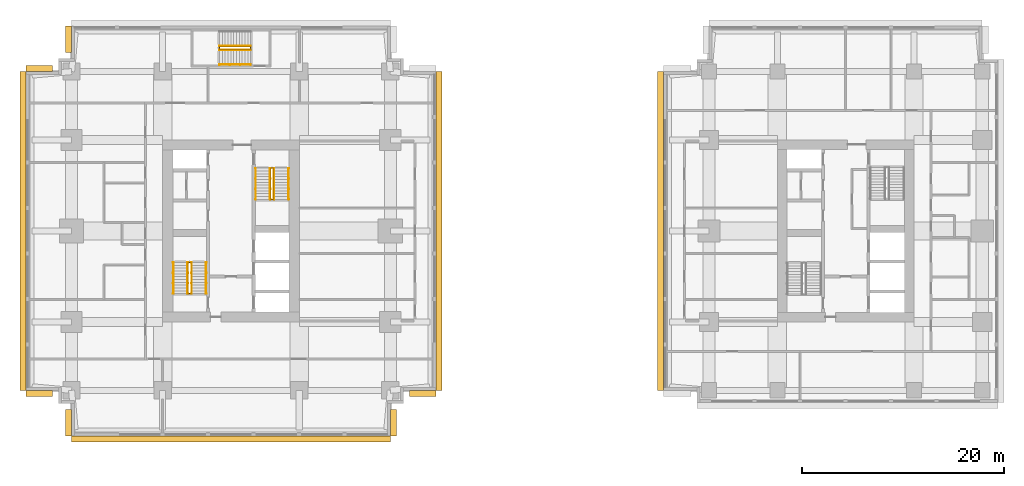
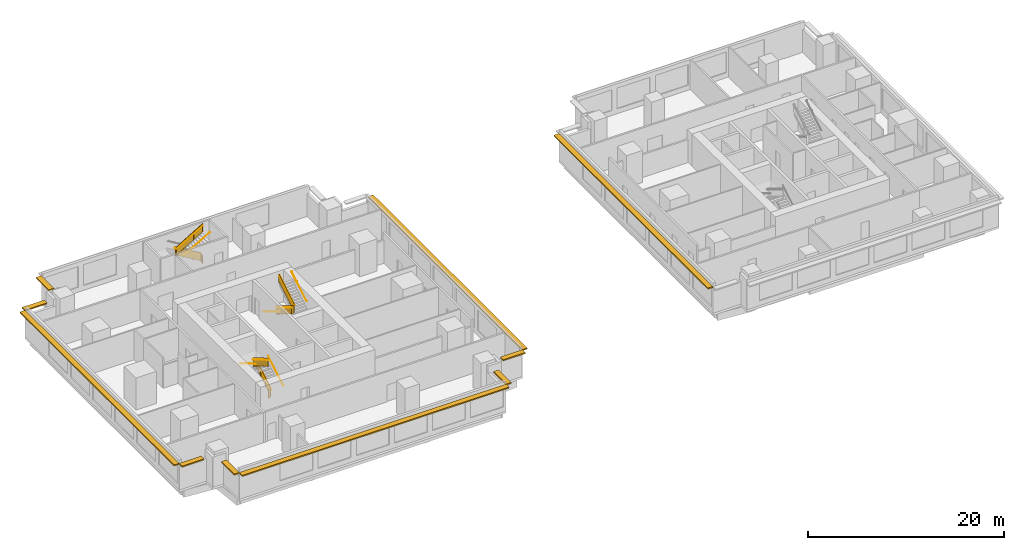
# One storey, part 9 of 10: 14 railings, 10 shading devices.
"""IFC4 building model written with IfcOpenShell, lengths in metres."""

from ifc_helpers import new_model, si_unit, direction, frame, origin, origin_2d, place, context, subcontext, project, spatial, polyline, rectangle, circle, outline, extrude, material, layer, layer_set, type_object, element, save


model = new_model("IFC4")

# Units and contexts
model_context = context("Model", 3, precision=1e-05, world=origin(), true_north=direction((0.0, 1.0)))
body_context = subcontext(model_context, "Body", "Model", "MODEL_VIEW")
ifc_project = project(units=[si_unit("LENGTHUNIT", "METRE"), si_unit("AREAUNIT", "SQUARE_METRE"), si_unit("VOLUMEUNIT", "CUBIC_METRE"), si_unit("PLANEANGLEUNIT", "RADIAN"), si_unit("MASSUNIT", "GRAM", prefix="KILO")], contexts=[model_context])

# Site, building, storey
site_placement = place(None, origin())
site = spatial("IfcSite", under=ifc_project, at=site_placement, CompositionType="ELEMENT")
building_placement = place(site_placement, origin())
building = spatial("IfcBuilding", under=site, at=building_placement, Name="Namib Vertical Campus", CompositionType="ELEMENT")
storey_placement = place(building_placement, frame((0.0, 0.0, 153.0)))
storey = spatial("IfcBuildingStorey", under=building, at=storey_placement, Name="L36", CompositionType="ELEMENT", Elevation=153.0)

# Railings
ifc_material_1 = material(Name="Steel handrail", Category="steel")
railing_type_1 = type_object("IfcRailingType", Name="Handrail 900", PredefinedType="HANDRAIL", material=ifc_material_1)
railing_1_placement = place(storey_placement, frame((17.800048828125, 14.050048828125, 0.166748046875)))
element("IfcRailing", 1, at=railing_1_placement, inside=storey, type_object=railing_type_1, Name="Handrail HR1 A-S1 L36 1", PredefinedType="HANDRAIL", context=body_context, shape_type="SweptSolid", body=[
    extrude(circle(Radius=0.02392578125, at=origin_2d()), frame((0.0, 0.0, 0.8759765625), z_axis=(0.0, 0.859290745958, 0.51148745235), x_axis=(-1.0, 0.0, 0.0)), (0.0, 0.0, 1.0), 3.584228515625),
    extrude(circle(Radius=0.008056640625, at=origin_2d()), frame((0.0, 0.0, 0.8759765625), z_axis=(1.0, 0.0, 0.0), x_axis=(0.0, 0.0, 1.0)), (0.0, 0.0, 1.0), 0.050048828125),
    extrude(circle(Radius=0.008056640625, at=origin_2d()), frame((0.0, 1.026611328125, 1.48681640625), z_axis=(1.0, 0.0, 0.0), x_axis=(0.0, 0.0, 1.0)), (0.0, 0.0, 1.0), 0.050048828125),
    extrude(circle(Radius=0.008056640625, at=origin_2d()), frame((0.0, 2.05322265625, 2.09814453125), z_axis=(1.0, 0.0, 0.0), x_axis=(0.0, 0.0, 1.0)), (0.0, 0.0, 1.0), 0.050048828125),
    extrude(circle(Radius=0.008056640625, at=origin_2d()), frame((0.0, 3.079833984375, 2.708984375), z_axis=(1.0, 0.0, 0.0), x_axis=(0.0, 0.0, 1.0)), (0.0, 0.0, 1.0), 0.050048828125),
])
railing_2_placement = place(storey_placement, frame((14.550048828125, 17.1298828125, 2.166748046875)))
element("IfcRailing", 2, at=railing_2_placement, inside=storey, type_object=railing_type_1, Name="Handrail HR1 A-S1 L36 2", PredefinedType="HANDRAIL", context=body_context, shape_type="SweptSolid", body=[
    extrude(circle(Radius=0.02392578125, at=origin_2d()), frame((0.0, 0.0, 0.8759765625), z_axis=(0.0, -0.859290745958, 0.51148745235), x_axis=(1.0, 0.0, 0.0)), (0.0, 0.0, 1.0), 3.584228515625),
    extrude(circle(Radius=0.008056640625, at=origin_2d()), frame((0.0, 0.0, 0.8759765625), z_axis=(-1.0, 0.0, 0.0), x_axis=(0.0, 0.0, 1.0)), (0.0, 0.0, 1.0), 0.050048828125),
    extrude(circle(Radius=0.008056640625, at=origin_2d()), frame((0.0, -1.026611328125, 1.48681640625), z_axis=(-1.0, 0.0, 0.0), x_axis=(0.0, 0.0, 1.0)), (0.0, 0.0, 1.0), 0.050048828125),
    extrude(circle(Radius=0.008056640625, at=origin_2d()), frame((0.0, -2.05322265625, 2.09814453125), z_axis=(-1.0, 0.0, 0.0), x_axis=(0.0, 0.0, 1.0)), (0.0, 0.0, 1.0), 0.050048828125),
    extrude(circle(Radius=0.008056640625, at=origin_2d()), frame((0.0, -3.079833984375, 2.708984375), z_axis=(-1.0, 0.0, 0.0), x_axis=(0.0, 0.0, 1.0)), (0.0, 0.0, 1.0), 0.050048828125),
])
railing_3_placement = place(storey_placement, frame((16.375, 14.050048828125, 0.166748046875)))
element("IfcRailing", 3, at=railing_3_placement, inside=storey, type_object=railing_type_1, Name="Handrail HR1 A-S1 L36 1 at the well", PredefinedType="HANDRAIL", context=body_context, shape_type="SweptSolid", body=[
    extrude(circle(Radius=0.02392578125, at=origin_2d()), frame((0.0, 0.0, 0.8759765625), z_axis=(0.0, 0.859290745958, 0.51148745235), x_axis=(-1.0, 0.0, 0.0)), (0.0, 0.0, 1.0), 3.584228515625),
    extrude(circle(Radius=0.008056640625, at=origin_2d()), frame((0.0, 0.0, 0.8759765625), z_axis=(-1.0, 0.0, 0.0), x_axis=(0.0, 0.0, 1.0)), (0.0, 0.0, 1.0), 0.0400390625),
    extrude(circle(Radius=0.008056640625, at=origin_2d()), frame((0.0, 1.026611328125, 1.48681640625), z_axis=(-1.0, 0.0, 0.0), x_axis=(0.0, 0.0, 1.0)), (0.0, 0.0, 1.0), 0.0400390625),
    extrude(circle(Radius=0.008056640625, at=origin_2d()), frame((0.0, 2.05322265625, 2.09814453125), z_axis=(-1.0, 0.0, 0.0), x_axis=(0.0, 0.0, 1.0)), (0.0, 0.0, 1.0), 0.0400390625),
    extrude(circle(Radius=0.008056640625, at=origin_2d()), frame((0.0, 3.079833984375, 2.708984375), z_axis=(-1.0, 0.0, 0.0), x_axis=(0.0, 0.0, 1.0)), (0.0, 0.0, 1.0), 0.0400390625),
])
railing_4_placement = place(storey_placement, frame((15.97509765625, 17.1298828125, 2.166748046875)))
element("IfcRailing", 4, at=railing_4_placement, inside=storey, type_object=railing_type_1, Name="Handrail HR1 A-S1 L36 2 at the well", PredefinedType="HANDRAIL", context=body_context, shape_type="SweptSolid", body=[
    extrude(circle(Radius=0.02392578125, at=origin_2d()), frame((0.0, 0.0, 0.8759765625), z_axis=(0.0, -0.859290745958, 0.51148745235), x_axis=(1.0, 0.0, 0.0)), (0.0, 0.0, 1.0), 3.584228515625),
    extrude(circle(Radius=0.008056640625, at=origin_2d()), frame((0.0, 0.0, 0.8759765625), z_axis=(1.0, 0.0, 0.0), x_axis=(0.0, 0.0, 1.0)), (0.0, 0.0, 1.0), 0.0400390625),
    extrude(circle(Radius=0.008056640625, at=origin_2d()), frame((0.0, -1.026611328125, 1.48681640625), z_axis=(1.0, 0.0, 0.0), x_axis=(0.0, 0.0, 1.0)), (0.0, 0.0, 1.0), 0.0400390625),
    extrude(circle(Radius=0.008056640625, at=origin_2d()), frame((0.0, -2.05322265625, 2.09814453125), z_axis=(1.0, 0.0, 0.0), x_axis=(0.0, 0.0, 1.0)), (0.0, 0.0, 1.0), 0.0400390625),
    extrude(circle(Radius=0.008056640625, at=origin_2d()), frame((0.0, -3.079833984375, 2.708984375), z_axis=(1.0, 0.0, 0.0), x_axis=(0.0, 0.0, 1.0)), (0.0, 0.0, 1.0), 0.0400390625),
])
railing_5_placement = place(storey_placement, frame((22.699951171875, 26.449951171875, 0.166748046875)))
element("IfcRailing", 5, at=railing_5_placement, inside=storey, type_object=railing_type_1, Name="Handrail HR1 A-S2 L36 1", PredefinedType="HANDRAIL", context=body_context, shape_type="SweptSolid", body=[
    extrude(circle(Radius=0.02392578125, at=origin_2d()), frame((0.0, 0.0, 0.8759765625), z_axis=(0.0, -0.859290745958, 0.51148745235), x_axis=(1.0, 0.0, 0.0)), (0.0, 0.0, 1.0), 3.584228515625),
    extrude(circle(Radius=0.008056640625, at=origin_2d()), frame((0.0, 0.0, 0.8759765625), z_axis=(-1.0, 0.0, 0.0), x_axis=(0.0, 0.0, 1.0)), (0.0, 0.0, 1.0), 0.050048828125),
    extrude(circle(Radius=0.008056640625, at=origin_2d()), frame((0.0, -1.026611328125, 1.48681640625), z_axis=(-1.0, 0.0, 0.0), x_axis=(0.0, 0.0, 1.0)), (0.0, 0.0, 1.0), 0.050048828125),
    extrude(circle(Radius=0.008056640625, at=origin_2d()), frame((0.0, -2.05322265625, 2.09814453125), z_axis=(-1.0, 0.0, 0.0), x_axis=(0.0, 0.0, 1.0)), (0.0, 0.0, 1.0), 0.050048828125),
    extrude(circle(Radius=0.008056640625, at=origin_2d()), frame((0.0, -3.079833984375, 2.708984375), z_axis=(-1.0, 0.0, 0.0), x_axis=(0.0, 0.0, 1.0)), (0.0, 0.0, 1.0), 0.050048828125),
])
railing_6_placement = place(storey_placement, frame((25.949951171875, 23.3701171875, 2.166748046875)))
element("IfcRailing", 6, at=railing_6_placement, inside=storey, type_object=railing_type_1, Name="Handrail HR1 A-S2 L36 2", PredefinedType="HANDRAIL", context=body_context, shape_type="SweptSolid", body=[
    extrude(circle(Radius=0.02392578125, at=origin_2d()), frame((0.0, 0.0, 0.8759765625), z_axis=(0.0, 0.859290745958, 0.51148745235), x_axis=(-1.0, 0.0, 0.0)), (0.0, 0.0, 1.0), 3.584228515625),
    extrude(circle(Radius=0.008056640625, at=origin_2d()), frame((0.0, 0.0, 0.8759765625), z_axis=(1.0, 0.0, 0.0), x_axis=(0.0, 0.0, 1.0)), (0.0, 0.0, 1.0), 0.050048828125),
    extrude(circle(Radius=0.008056640625, at=origin_2d()), frame((0.0, 1.026611328125, 1.48681640625), z_axis=(1.0, 0.0, 0.0), x_axis=(0.0, 0.0, 1.0)), (0.0, 0.0, 1.0), 0.050048828125),
    extrude(circle(Radius=0.008056640625, at=origin_2d()), frame((0.0, 2.05322265625, 2.09814453125), z_axis=(1.0, 0.0, 0.0), x_axis=(0.0, 0.0, 1.0)), (0.0, 0.0, 1.0), 0.050048828125),
    extrude(circle(Radius=0.008056640625, at=origin_2d()), frame((0.0, 3.079833984375, 2.708984375), z_axis=(1.0, 0.0, 0.0), x_axis=(0.0, 0.0, 1.0)), (0.0, 0.0, 1.0), 0.050048828125),
])
railing_7_placement = place(storey_placement, frame((24.125, 26.449951171875, 0.166748046875)))
element("IfcRailing", 7, at=railing_7_placement, inside=storey, type_object=railing_type_1, Name="Handrail HR1 A-S2 L36 1 at the well", PredefinedType="HANDRAIL", context=body_context, shape_type="SweptSolid", body=[
    extrude(circle(Radius=0.02392578125, at=origin_2d()), frame((0.0, 0.0, 0.8759765625), z_axis=(0.0, -0.859290745958, 0.51148745235), x_axis=(1.0, 0.0, 0.0)), (0.0, 0.0, 1.0), 3.584228515625),
    extrude(circle(Radius=0.008056640625, at=origin_2d()), frame((0.0, 0.0, 0.8759765625), z_axis=(1.0, 0.0, 0.0), x_axis=(0.0, 0.0, 1.0)), (0.0, 0.0, 1.0), 0.0400390625),
    extrude(circle(Radius=0.008056640625, at=origin_2d()), frame((0.0, -1.026611328125, 1.48681640625), z_axis=(1.0, 0.0, 0.0), x_axis=(0.0, 0.0, 1.0)), (0.0, 0.0, 1.0), 0.0400390625),
    extrude(circle(Radius=0.008056640625, at=origin_2d()), frame((0.0, -2.05322265625, 2.09814453125), z_axis=(1.0, 0.0, 0.0), x_axis=(0.0, 0.0, 1.0)), (0.0, 0.0, 1.0), 0.0400390625),
    extrude(circle(Radius=0.008056640625, at=origin_2d()), frame((0.0, -3.079833984375, 2.708984375), z_axis=(1.0, 0.0, 0.0), x_axis=(0.0, 0.0, 1.0)), (0.0, 0.0, 1.0), 0.0400390625),
])
railing_8_placement = place(storey_placement, frame((24.52490234375, 23.3701171875, 2.166748046875)))
element("IfcRailing", 8, at=railing_8_placement, inside=storey, type_object=railing_type_1, Name="Handrail HR1 A-S2 L36 2 at the well", PredefinedType="HANDRAIL", context=body_context, shape_type="SweptSolid", body=[
    extrude(circle(Radius=0.02392578125, at=origin_2d()), frame((0.0, 0.0, 0.8759765625), z_axis=(0.0, 0.859290745958, 0.51148745235), x_axis=(-1.0, 0.0, 0.0)), (0.0, 0.0, 1.0), 3.584228515625),
    extrude(circle(Radius=0.008056640625, at=origin_2d()), frame((0.0, 0.0, 0.8759765625), z_axis=(-1.0, 0.0, 0.0), x_axis=(0.0, 0.0, 1.0)), (0.0, 0.0, 1.0), 0.0400390625),
    extrude(circle(Radius=0.008056640625, at=origin_2d()), frame((0.0, 1.026611328125, 1.48681640625), z_axis=(-1.0, 0.0, 0.0), x_axis=(0.0, 0.0, 1.0)), (0.0, 0.0, 1.0), 0.0400390625),
    extrude(circle(Radius=0.008056640625, at=origin_2d()), frame((0.0, 2.05322265625, 2.09814453125), z_axis=(-1.0, 0.0, 0.0), x_axis=(0.0, 0.0, 1.0)), (0.0, 0.0, 1.0), 0.0400390625),
    extrude(circle(Radius=0.008056640625, at=origin_2d()), frame((0.0, 3.079833984375, 2.708984375), z_axis=(-1.0, 0.0, 0.0), x_axis=(0.0, 0.0, 1.0)), (0.0, 0.0, 1.0), 0.0400390625),
])
railing_9_placement = place(storey_placement, frame((19.1201171875, 36.699951171875, 2.166748046875)))
element("IfcRailing", 9, at=railing_9_placement, inside=storey, type_object=railing_type_1, Name="Handrail HR1 A-S3 L36 2", PredefinedType="HANDRAIL", context=body_context, shape_type="SweptSolid", body=[
    extrude(circle(Radius=0.02392578125, at=origin_2d()), frame((0.0, 0.0, 0.8759765625), z_axis=(0.859290745958, 0.0, 0.51148745235), x_axis=(0.0, 1.0, 0.0)), (0.0, 0.0, 1.0), 3.584228515625),
    extrude(circle(Radius=0.008056640625, at=origin_2d()), frame((0.0, 0.0, 0.8759765625), z_axis=(0.0, -1.0, 0.0), x_axis=(0.0, 0.0, 1.0)), (0.0, 0.0, 1.0), 0.050048828125),
    extrude(circle(Radius=0.008056640625, at=origin_2d()), frame((1.026611328125, 0.0, 1.48681640625), z_axis=(0.0, -1.0, 0.0), x_axis=(0.0, 0.0, 1.0)), (0.0, 0.0, 1.0), 0.050048828125),
    extrude(circle(Radius=0.008056640625, at=origin_2d()), frame((2.05322265625, 0.0, 2.09814453125), z_axis=(0.0, -1.0, 0.0), x_axis=(0.0, 0.0, 1.0)), (0.0, 0.0, 1.0), 0.050048828125),
    extrude(circle(Radius=0.008056640625, at=origin_2d()), frame((3.079833984375, 0.0, 2.708984375), z_axis=(0.0, -1.0, 0.0), x_axis=(0.0, 0.0, 1.0)), (0.0, 0.0, 1.0), 0.050048828125),
])
railing_10_placement = place(storey_placement, frame((22.199951171875, 38.52490234375, 0.166748046875)))
element("IfcRailing", 10, at=railing_10_placement, inside=storey, type_object=railing_type_1, Name="Handrail HR1 A-S3 L36 1 at the well", PredefinedType="HANDRAIL", context=body_context, shape_type="SweptSolid", body=[
    extrude(circle(Radius=0.02392578125, at=origin_2d()), frame((0.0, 0.0, 0.8759765625), z_axis=(-0.859290745958, 0.0, 0.51148745235), x_axis=(0.0, -1.0, 0.0)), (0.0, 0.0, 1.0), 3.584228515625),
    extrude(circle(Radius=0.008056640625, at=origin_2d()), frame((0.0, 0.0, 0.8759765625), z_axis=(0.0, -1.0, 0.0), x_axis=(0.0, 0.0, 1.0)), (0.0, 0.0, 1.0), 0.0400390625),
    extrude(circle(Radius=0.008056640625, at=origin_2d()), frame((-1.026611328125, 0.0, 1.48681640625), z_axis=(0.0, -1.0, 0.0), x_axis=(0.0, 0.0, 1.0)), (0.0, 0.0, 1.0), 0.0400390625),
    extrude(circle(Radius=0.008056640625, at=origin_2d()), frame((-2.05322265625, 0.0, 2.09814453125), z_axis=(0.0, -1.0, 0.0), x_axis=(0.0, 0.0, 1.0)), (0.0, 0.0, 1.0), 0.0400390625),
    extrude(circle(Radius=0.008056640625, at=origin_2d()), frame((-3.079833984375, 0.0, 2.708984375), z_axis=(0.0, -1.0, 0.0), x_axis=(0.0, 0.0, 1.0)), (0.0, 0.0, 1.0), 0.0400390625),
])
railing_11_placement = place(storey_placement, frame((19.1201171875, 38.125, 2.166748046875)))
element("IfcRailing", 11, at=railing_11_placement, inside=storey, type_object=railing_type_1, Name="Handrail HR1 A-S3 L36 2 at the well", PredefinedType="HANDRAIL", context=body_context, shape_type="SweptSolid", body=[
    extrude(circle(Radius=0.02392578125, at=origin_2d()), frame((0.0, 0.0, 0.8759765625), z_axis=(0.859290745958, 0.0, 0.51148745235), x_axis=(0.0, 1.0, 0.0)), (0.0, 0.0, 1.0), 3.584228515625),
    extrude(circle(Radius=0.008056640625, at=origin_2d()), frame((0.0, 0.0, 0.8759765625), z_axis=(0.0, 1.0, 0.0), x_axis=(0.0, 0.0, 1.0)), (0.0, 0.0, 1.0), 0.0400390625),
    extrude(circle(Radius=0.008056640625, at=origin_2d()), frame((1.026611328125, 0.0, 1.48681640625), z_axis=(0.0, 1.0, 0.0), x_axis=(0.0, 0.0, 1.0)), (0.0, 0.0, 1.0), 0.0400390625),
    extrude(circle(Radius=0.008056640625, at=origin_2d()), frame((2.05322265625, 0.0, 2.09814453125), z_axis=(0.0, 1.0, 0.0), x_axis=(0.0, 0.0, 1.0)), (0.0, 0.0, 1.0), 0.0400390625),
    extrude(circle(Radius=0.008056640625, at=origin_2d()), frame((3.079833984375, 0.0, 2.708984375), z_axis=(0.0, 1.0, 0.0), x_axis=(0.0, 0.0, 1.0)), (0.0, 0.0, 1.0), 0.0400390625),
])
ifc_material_2 = material(Name="Steel balustrade", Category="steel")
railing_type_2 = type_object("IfcRailingType", Name="Stair guard 1100", PredefinedType="GUARDRAIL", material=ifc_material_2)
railing_12_placement = place(storey_placement, frame((16.02490234375, 14.050048828125, 0.0)))
element("IfcRailing", 12, at=railing_12_placement, inside=storey, type_object=railing_type_2, Name="Stair guard GR1 A-S1 L36", PredefinedType="GUARDRAIL", context=body_context, shape_type="SweptSolid", body=[
    extrude(circle(Radius=0.02392578125, at=origin_2d()), frame((0.0, 0.0, 1.076171875), z_axis=(1.0, 0.0, 0.0), x_axis=(0.0, 1.0, 0.0)), (0.0, 0.0, 1.0), 0.300048828125),
    extrude(outline(polyline([(0.02099609375, 0.050048828125), (0.279052734375, 0.050048828125), (0.279052734375, 1.052001953125), (0.02099609375, 1.052001953125), (0.02099609375, 0.050048828125)])), frame((0.0, 0.010009765625, 0.0), z_axis=(0.0, -1.0, 0.0), x_axis=(1.0, 0.0, 0.0)), (0.0, 0.0, 1.0), 0.02001953125),
    extrude(circle(Radius=0.02392578125, at=origin_2d()), frame((0.300048828125, 0.0, 1.076171875), z_axis=(0.0, 0.0, 1.0), x_axis=(1.0, 0.0, 0.0)), (0.0, 0.0, 1.0), 0.166748046875),
    extrude(circle(Radius=0.02392578125, at=origin_2d()), frame((0.300048828125, 0.0, 1.24267578125), z_axis=(0.0, 0.859290745958, 0.51148745235), x_axis=(-1.0, 0.0, 0.0)), (0.0, 0.0, 1.0), 3.584228515625),
    extrude(outline(polyline([(0.02099609375, 0.0625), (3.058837890625, 1.870849609375), (3.058837890625, 2.872802734375), (0.02099609375, 1.064453125), (0.02099609375, 0.0625)])), frame((0.2900390625, 0.0, 0.166748046875), z_axis=(1.0, 0.0, 0.0), x_axis=(0.0, 1.0, 0.0)), (0.0, 0.0, 1.0), 0.02001953125),
    extrude(circle(Radius=0.02392578125, at=origin_2d()), frame((0.300048828125, 3.079833984375, 3.076171875), z_axis=(-1.0, 0.0, 0.0), x_axis=(0.0, -1.0, 0.0)), (0.0, 0.0, 1.0), 0.300048828125),
    extrude(outline(polyline([(0.02099609375, 0.050048828125), (0.279052734375, 0.050048828125), (0.279052734375, 1.052001953125), (0.02099609375, 1.052001953125), (0.02099609375, 0.050048828125)])), frame((0.300048828125, 3.06982421875, 2.0), z_axis=(0.0, 1.0, 0.0), x_axis=(-1.0, 0.0, 0.0)), (0.0, 0.0, 1.0), 0.02001953125),
    extrude(circle(Radius=0.02392578125, at=origin_2d()), frame((0.0, 3.079833984375, 3.076171875), z_axis=(0.0, 0.0, 1.0), x_axis=(1.0, 0.0, 0.0)), (0.0, 0.0, 1.0), 0.166748046875),
    extrude(circle(Radius=0.02392578125, at=origin_2d()), frame((0.0, 3.079833984375, 3.24267578125), z_axis=(0.0, -0.859290745958, 0.51148745235), x_axis=(1.0, 0.0, 0.0)), (0.0, 0.0, 1.0), 3.584228515625),
    extrude(outline(polyline([(0.02099609375, 0.0625), (3.058837890625, 1.870849609375), (3.058837890625, 2.872802734375), (0.02099609375, 1.064453125), (0.02099609375, 0.0625)])), frame((0.010009765625, 3.079833984375, 2.166748046875), z_axis=(-1.0, 0.0, 0.0), x_axis=(0.0, -1.0, 0.0)), (0.0, 0.0, 1.0), 0.02001953125),
    extrude(circle(Radius=0.02392578125, at=origin_2d()), frame((0.0, 0.0, 5.076171875), z_axis=(0.0, -1.0, 0.0), x_axis=(1.0, 0.0, 0.0)), (0.0, 0.0, 1.0), 0.050048828125),
    extrude(outline(polyline([(0.02099609375, 0.050048828125), (0.029052734375, 0.050048828125), (0.029052734375, 1.052001953125), (0.02099609375, 1.052001953125), (0.02099609375, 0.050048828125)])), frame((0.010009765625, 0.0, 4.0), z_axis=(-1.0, 0.0, 0.0), x_axis=(0.0, -1.0, 0.0)), (0.0, 0.0, 1.0), 0.02001953125),
    extrude(circle(Radius=0.02099609375, at=origin_2d()), origin(), (0.0, 0.0, 1.0), 1.052001953125),
    extrude(circle(Radius=0.02099609375, at=origin_2d()), frame((0.300048828125, 0.0, 0.166748046875)), (0.0, 0.0, 1.0), 1.052001953125),
    extrude(circle(Radius=0.02099609375, at=origin_2d()), frame((0.300048828125, 1.026611328125, 0.666748046875)), (0.0, 0.0, 1.0), 1.1630859375),
    extrude(circle(Radius=0.02099609375, at=origin_2d()), frame((0.300048828125, 2.05322265625, 1.33349609375)), (0.0, 0.0, 1.0), 1.107421875),
    extrude(circle(Radius=0.02099609375, at=origin_2d()), frame((0.300048828125, 3.079833984375, 2.0)), (0.0, 0.0, 1.0), 1.052001953125),
    extrude(circle(Radius=0.02099609375, at=origin_2d()), frame((0.0, 3.079833984375, 2.166748046875)), (0.0, 0.0, 1.0), 1.052001953125),
    extrude(circle(Radius=0.02099609375, at=origin_2d()), frame((0.0, 2.05322265625, 2.666748046875)), (0.0, 0.0, 1.0), 1.1630859375),
    extrude(circle(Radius=0.02099609375, at=origin_2d()), frame((0.0, 1.026611328125, 3.33349609375)), (0.0, 0.0, 1.0), 1.107421875),
    extrude(circle(Radius=0.02099609375, at=origin_2d()), frame((0.0, 0.0, 4.0)), (0.0, 0.0, 1.0), 1.052001953125),
    extrude(circle(Radius=0.02099609375, at=origin_2d()), frame((0.0, -0.050048828125, 4.0)), (0.0, 0.0, 1.0), 1.052001953125),
])
railing_13_placement = place(storey_placement, frame((24.47509765625, 26.449951171875, 0.0)))
element("IfcRailing", 13, at=railing_13_placement, inside=storey, type_object=railing_type_2, Name="Stair guard GR1 A-S2 L36", PredefinedType="GUARDRAIL", context=body_context, shape_type="SweptSolid", body=[
    extrude(circle(Radius=0.02392578125, at=origin_2d()), frame((0.0, 0.0, 1.076171875), z_axis=(-1.0, 0.0, 0.0), x_axis=(0.0, -1.0, 0.0)), (0.0, 0.0, 1.0), 0.300048828125),
    extrude(outline(polyline([(0.02099609375, 0.050048828125), (0.279052734375, 0.050048828125), (0.279052734375, 1.052001953125), (0.02099609375, 1.052001953125), (0.02099609375, 0.050048828125)])), frame((0.0, -0.010009765625, 0.0), z_axis=(0.0, 1.0, 0.0), x_axis=(-1.0, 0.0, 0.0)), (0.0, 0.0, 1.0), 0.02001953125),
    extrude(circle(Radius=0.02392578125, at=origin_2d()), frame((-0.300048828125, 0.0, 1.076171875), z_axis=(0.0, 0.0, 1.0), x_axis=(1.0, 0.0, 0.0)), (0.0, 0.0, 1.0), 0.166748046875),
    extrude(circle(Radius=0.02392578125, at=origin_2d()), frame((-0.300048828125, 0.0, 1.24267578125), z_axis=(0.0, -0.859290745958, 0.51148745235), x_axis=(1.0, 0.0, 0.0)), (0.0, 0.0, 1.0), 3.584228515625),
    extrude(outline(polyline([(0.02099609375, 0.0625), (3.058837890625, 1.870849609375), (3.058837890625, 2.872802734375), (0.02099609375, 1.064453125), (0.02099609375, 0.0625)])), frame((-0.2900390625, 0.0, 0.166748046875), z_axis=(-1.0, 0.0, 0.0), x_axis=(0.0, -1.0, 0.0)), (0.0, 0.0, 1.0), 0.02001953125),
    extrude(circle(Radius=0.02392578125, at=origin_2d()), frame((-0.300048828125, -3.079833984375, 3.076171875), z_axis=(1.0, 0.0, 0.0), x_axis=(0.0, 1.0, 0.0)), (0.0, 0.0, 1.0), 0.300048828125),
    extrude(outline(polyline([(0.02099609375, 0.050048828125), (0.279052734375, 0.050048828125), (0.279052734375, 1.052001953125), (0.02099609375, 1.052001953125), (0.02099609375, 0.050048828125)])), frame((-0.300048828125, -3.06982421875, 2.0), z_axis=(0.0, -1.0, 0.0), x_axis=(1.0, 0.0, 0.0)), (0.0, 0.0, 1.0), 0.02001953125),
    extrude(circle(Radius=0.02392578125, at=origin_2d()), frame((0.0, -3.079833984375, 3.076171875), z_axis=(0.0, 0.0, 1.0), x_axis=(1.0, 0.0, 0.0)), (0.0, 0.0, 1.0), 0.166748046875),
    extrude(circle(Radius=0.02392578125, at=origin_2d()), frame((0.0, -3.079833984375, 3.24267578125), z_axis=(0.0, 0.859290745958, 0.51148745235), x_axis=(-1.0, 0.0, 0.0)), (0.0, 0.0, 1.0), 3.584228515625),
    extrude(outline(polyline([(0.02099609375, 0.0625), (3.058837890625, 1.870849609375), (3.058837890625, 2.872802734375), (0.02099609375, 1.064453125), (0.02099609375, 0.0625)])), frame((-0.010009765625, -3.079833984375, 2.166748046875), z_axis=(1.0, 0.0, 0.0), x_axis=(0.0, 1.0, 0.0)), (0.0, 0.0, 1.0), 0.02001953125),
    extrude(circle(Radius=0.02392578125, at=origin_2d()), frame((0.0, 0.0, 5.076171875), z_axis=(0.0, 1.0, 0.0), x_axis=(-1.0, 0.0, 0.0)), (0.0, 0.0, 1.0), 0.050048828125),
    extrude(outline(polyline([(0.02099609375, 0.050048828125), (0.029052734375, 0.050048828125), (0.029052734375, 1.052001953125), (0.02099609375, 1.052001953125), (0.02099609375, 0.050048828125)])), frame((-0.010009765625, 0.0, 4.0), z_axis=(1.0, 0.0, 0.0), x_axis=(0.0, 1.0, 0.0)), (0.0, 0.0, 1.0), 0.02001953125),
    extrude(circle(Radius=0.02099609375, at=origin_2d()), origin(), (0.0, 0.0, 1.0), 1.052001953125),
    extrude(circle(Radius=0.02099609375, at=origin_2d()), frame((-0.300048828125, 0.0, 0.166748046875)), (0.0, 0.0, 1.0), 1.052001953125),
    extrude(circle(Radius=0.02099609375, at=origin_2d()), frame((-0.300048828125, -1.026611328125, 0.666748046875)), (0.0, 0.0, 1.0), 1.1630859375),
    extrude(circle(Radius=0.02099609375, at=origin_2d()), frame((-0.300048828125, -2.05322265625, 1.33349609375)), (0.0, 0.0, 1.0), 1.107421875),
    extrude(circle(Radius=0.02099609375, at=origin_2d()), frame((-0.300048828125, -3.079833984375, 2.0)), (0.0, 0.0, 1.0), 1.052001953125),
    extrude(circle(Radius=0.02099609375, at=origin_2d()), frame((0.0, -3.079833984375, 2.166748046875)), (0.0, 0.0, 1.0), 1.052001953125),
    extrude(circle(Radius=0.02099609375, at=origin_2d()), frame((0.0, -2.05322265625, 2.666748046875)), (0.0, 0.0, 1.0), 1.1630859375),
    extrude(circle(Radius=0.02099609375, at=origin_2d()), frame((0.0, -1.026611328125, 3.33349609375)), (0.0, 0.0, 1.0), 1.107421875),
    extrude(circle(Radius=0.02099609375, at=origin_2d()), frame((0.0, 0.0, 4.0)), (0.0, 0.0, 1.0), 1.052001953125),
    extrude(circle(Radius=0.02099609375, at=origin_2d()), frame((0.0, 0.050048828125, 4.0)), (0.0, 0.0, 1.0), 1.052001953125),
])
railing_14_placement = place(storey_placement, frame((22.199951171875, 38.175048828125, 0.0)))
element("IfcRailing", 14, at=railing_14_placement, inside=storey, type_object=railing_type_2, Name="Stair guard GR1 A-S3 L36", PredefinedType="GUARDRAIL", context=body_context, shape_type="SweptSolid", body=[
    extrude(circle(Radius=0.02392578125, at=origin_2d()), frame((0.0, 0.0, 1.076171875), z_axis=(0.0, 1.0, 0.0), x_axis=(-1.0, 0.0, 0.0)), (0.0, 0.0, 1.0), 0.300048828125),
    extrude(outline(polyline([(0.02099609375, 0.050048828125), (0.279052734375, 0.050048828125), (0.279052734375, 1.052001953125), (0.02099609375, 1.052001953125), (0.02099609375, 0.050048828125)])), frame((-0.010009765625, 0.0, 0.0), z_axis=(1.0, 0.0, 0.0), x_axis=(0.0, 1.0, 0.0)), (0.0, 0.0, 1.0), 0.02001953125),
    extrude(circle(Radius=0.02392578125, at=origin_2d()), frame((0.0, 0.300048828125, 1.076171875), z_axis=(0.0, 0.0, 1.0), x_axis=(1.0, 0.0, 0.0)), (0.0, 0.0, 1.0), 0.166748046875),
    extrude(circle(Radius=0.02392578125, at=origin_2d()), frame((0.0, 0.300048828125, 1.24267578125), z_axis=(-0.859290745958, 0.0, 0.51148745235), x_axis=(0.0, -1.0, 0.0)), (0.0, 0.0, 1.0), 3.584228515625),
    extrude(outline(polyline([(0.02099609375, 0.0625), (3.058837890625, 1.870849609375), (3.058837890625, 2.872802734375), (0.02099609375, 1.064453125), (0.02099609375, 0.0625)])), frame((0.0, 0.2900390625, 0.166748046875), z_axis=(0.0, 1.0, 0.0), x_axis=(-1.0, 0.0, 0.0)), (0.0, 0.0, 1.0), 0.02001953125),
    extrude(circle(Radius=0.02392578125, at=origin_2d()), frame((-3.079833984375, 0.300048828125, 3.076171875), z_axis=(0.0, -1.0, 0.0), x_axis=(1.0, 0.0, 0.0)), (0.0, 0.0, 1.0), 0.300048828125),
    extrude(outline(polyline([(0.02099609375, 0.050048828125), (0.279052734375, 0.050048828125), (0.279052734375, 1.052001953125), (0.02099609375, 1.052001953125), (0.02099609375, 0.050048828125)])), frame((-3.06982421875, 0.300048828125, 2.0), z_axis=(-1.0, 0.0, 0.0), x_axis=(0.0, -1.0, 0.0)), (0.0, 0.0, 1.0), 0.02001953125),
    extrude(circle(Radius=0.02392578125, at=origin_2d()), frame((-3.079833984375, 0.0, 3.076171875), z_axis=(0.0, 0.0, 1.0), x_axis=(1.0, 0.0, 0.0)), (0.0, 0.0, 1.0), 0.166748046875),
    extrude(circle(Radius=0.02392578125, at=origin_2d()), frame((-3.079833984375, 0.0, 3.24267578125), z_axis=(0.859290745958, 0.0, 0.51148745235), x_axis=(0.0, 1.0, 0.0)), (0.0, 0.0, 1.0), 3.584228515625),
    extrude(outline(polyline([(0.02099609375, 0.0625), (3.058837890625, 1.870849609375), (3.058837890625, 2.872802734375), (0.02099609375, 1.064453125), (0.02099609375, 0.0625)])), frame((-3.079833984375, 0.010009765625, 2.166748046875), z_axis=(0.0, -1.0, 0.0), x_axis=(1.0, 0.0, 0.0)), (0.0, 0.0, 1.0), 0.02001953125),
    extrude(circle(Radius=0.02392578125, at=origin_2d()), frame((0.0, 0.0, 5.076171875), z_axis=(1.0, 0.0, 0.0), x_axis=(0.0, 1.0, 0.0)), (0.0, 0.0, 1.0), 0.050048828125),
    extrude(outline(polyline([(0.02099609375, 0.050048828125), (0.029052734375, 0.050048828125), (0.029052734375, 1.052001953125), (0.02099609375, 1.052001953125), (0.02099609375, 0.050048828125)])), frame((0.0, 0.010009765625, 4.0), z_axis=(0.0, -1.0, 0.0), x_axis=(1.0, 0.0, 0.0)), (0.0, 0.0, 1.0), 0.02001953125),
    extrude(circle(Radius=0.02099609375, at=origin_2d()), origin(), (0.0, 0.0, 1.0), 1.052001953125),
    extrude(circle(Radius=0.02099609375, at=origin_2d()), frame((0.0, 0.300048828125, 0.166748046875)), (0.0, 0.0, 1.0), 1.052001953125),
    extrude(circle(Radius=0.02099609375, at=origin_2d()), frame((-1.026611328125, 0.300048828125, 0.666748046875)), (0.0, 0.0, 1.0), 1.1630859375),
    extrude(circle(Radius=0.02099609375, at=origin_2d()), frame((-2.05322265625, 0.300048828125, 1.33349609375)), (0.0, 0.0, 1.0), 1.107421875),
    extrude(circle(Radius=0.02099609375, at=origin_2d()), frame((-3.079833984375, 0.300048828125, 2.0)), (0.0, 0.0, 1.0), 1.052001953125),
    extrude(circle(Radius=0.02099609375, at=origin_2d()), frame((-3.079833984375, 0.0, 2.166748046875)), (0.0, 0.0, 1.0), 1.052001953125),
    extrude(circle(Radius=0.02099609375, at=origin_2d()), frame((-2.05322265625, 0.0, 2.666748046875)), (0.0, 0.0, 1.0), 1.1630859375),
    extrude(circle(Radius=0.02099609375, at=origin_2d()), frame((-1.026611328125, 0.0, 3.33349609375)), (0.0, 0.0, 1.0), 1.107421875),
    extrude(circle(Radius=0.02099609375, at=origin_2d()), frame((0.0, 0.0, 4.0)), (0.0, 0.0, 1.0), 1.052001953125),
    extrude(circle(Radius=0.02099609375, at=origin_2d()), frame((0.050048828125, 0.0, 4.0)), (0.0, 0.0, 1.0), 1.052001953125),
])

# Shading devices
ifc_material_3 = material(Name="Concrete C40/50 precast", Category="concrete")
ifc_layer = layer(ifc_material_3, 0.14990234375)
ifc_layer_set = layer_set([ifc_layer], Name="Concrete C40/50 precast")
shading_device_type = type_object("IfcShadingDeviceType", Name="Sunshade hood 600", PredefinedType="SHUTTER", material=ifc_layer_set)
shading_device_1_placement = place(storey_placement, frame((20.25, -0.300048828125, 3.199951171875), z_axis=(0.0, 0.0, 1.0), x_axis=(1.0, 0.0, 0.0)))
element("IfcShadingDevice", 15, at=shading_device_1_placement, inside=storey, type_object=shading_device_type, Name="Sunshade SH3 L36 1", PredefinedType="SHUTTER", context=body_context, shape_type="SweptSolid", body=[
    extrude(rectangle(XDim=31.5, YDim=0.60009765625, at=origin_2d()), origin(), (0.0, 0.0, 1.0), 0.14990234375),
])
for number, where, z_axis, x_axis, name in (
    (16, (36.300048828125, 1.300048828125, 3.199951171875), (0.0, 0.0, 1.0), (0.0, 1.0, 0.0), "Sunshade SH3 L36 2"),
    (17, (39.199951171875, 4.199951171875, 3.199951171875), (0.0, 0.0, 1.0), (1.0, 0.0, 0.0), "Sunshade SH3 L36 5"),
):
    element("IfcShadingDevice", number, at=place(storey_placement, frame(where, z_axis=z_axis, x_axis=x_axis)), inside=storey, type_object=shading_device_type, Name=name, PredefinedType="SHUTTER", context=body_context, shape_type="SweptSolid", body=[
        extrude(rectangle(XDim=2.60009765625, YDim=0.60009765625, at=origin_2d()), origin(), (0.0, 0.0, 1.0), 0.14990234375),
    ])
shading_device_2_placement = place(storey_placement, frame((40.800048828125, 20.25, 3.199951171875), z_axis=(0.0, 0.0, 1.0), x_axis=(0.0, 1.0, 0.0)))
element("IfcShadingDevice", 18, at=shading_device_2_placement, inside=storey, type_object=shading_device_type, Name="Sunshade SH3 L36 6", PredefinedType="SHUTTER", context=body_context, shape_type="SweptSolid", body=[
    extrude(rectangle(XDim=31.5, YDim=0.60009765625, at=origin_2d()), origin(), (0.0, 0.0, 1.0), 0.14990234375),
])
for number, where, z_axis, x_axis, name in (
    (19, (4.199951171875, 39.199951171875, 3.199951171875), (0.0, 0.0, 1.0), (0.0, -1.0, 0.0), "Sunshade SH3 L36 12"),
    (20, (1.300048828125, 36.300048828125, 3.199951171875), (0.0, 0.0, 1.0), (-1.0, 0.0, 0.0), "Sunshade SH3 L36 15"),
):
    element("IfcShadingDevice", number, at=place(storey_placement, frame(where, z_axis=z_axis, x_axis=x_axis)), inside=storey, type_object=shading_device_type, Name=name, PredefinedType="SHUTTER", context=body_context, shape_type="SweptSolid", body=[
        extrude(rectangle(XDim=2.60009765625, YDim=0.60009765625, at=origin_2d()), origin(), (0.0, 0.0, 1.0), 0.14990234375),
    ])
shading_device_3_placement = place(storey_placement, frame((-0.300048828125, 20.25, 3.199951171875), z_axis=(0.0, 0.0, 1.0), x_axis=(0.0, -1.0, 0.0)))
element("IfcShadingDevice", 21, at=shading_device_3_placement, inside=storey, type_object=shading_device_type, Name="Sunshade SH3 L36 16", PredefinedType="SHUTTER", context=body_context, shape_type="SweptSolid", body=[
    extrude(rectangle(XDim=31.5, YDim=0.60009765625, at=origin_2d()), origin(), (0.0, 0.0, 1.0), 0.14990234375),
])
for number, where, z_axis, x_axis, name in (
    (22, (1.300048828125, 4.199951171875, 3.199951171875), (0.0, 0.0, 1.0), (1.0, 0.0, 0.0), "Sunshade SH3 L36 17"),
    (23, (4.199951171875, 1.300048828125, 3.199951171875), (0.0, 0.0, 1.0), (0.0, -1.0, 0.0), "Sunshade SH3 L36 20"),
):
    element("IfcShadingDevice", number, at=place(storey_placement, frame(where, z_axis=z_axis, x_axis=x_axis)), inside=storey, type_object=shading_device_type, Name=name, PredefinedType="SHUTTER", context=body_context, shape_type="SweptSolid", body=[
        extrude(rectangle(XDim=2.60009765625, YDim=0.60009765625, at=origin_2d()), origin(), (0.0, 0.0, 1.0), 0.14990234375),
    ])
shading_device_4_placement = place(storey_placement, frame((62.699951171875, 20.25, 3.199951171875), z_axis=(0.0, 0.0, 1.0), x_axis=(0.0, -1.0, 0.0)))
element("IfcShadingDevice", 24, at=shading_device_4_placement, inside=storey, type_object=shading_device_type, Name="Sunshade SH3 L36 12", PredefinedType="SHUTTER", context=body_context, shape_type="SweptSolid", body=[
    extrude(rectangle(XDim=31.5, YDim=0.60009765625, at=origin_2d()), origin(), (0.0, 0.0, 1.0), 0.14990234375),
])

save(model, "model.ifc")
